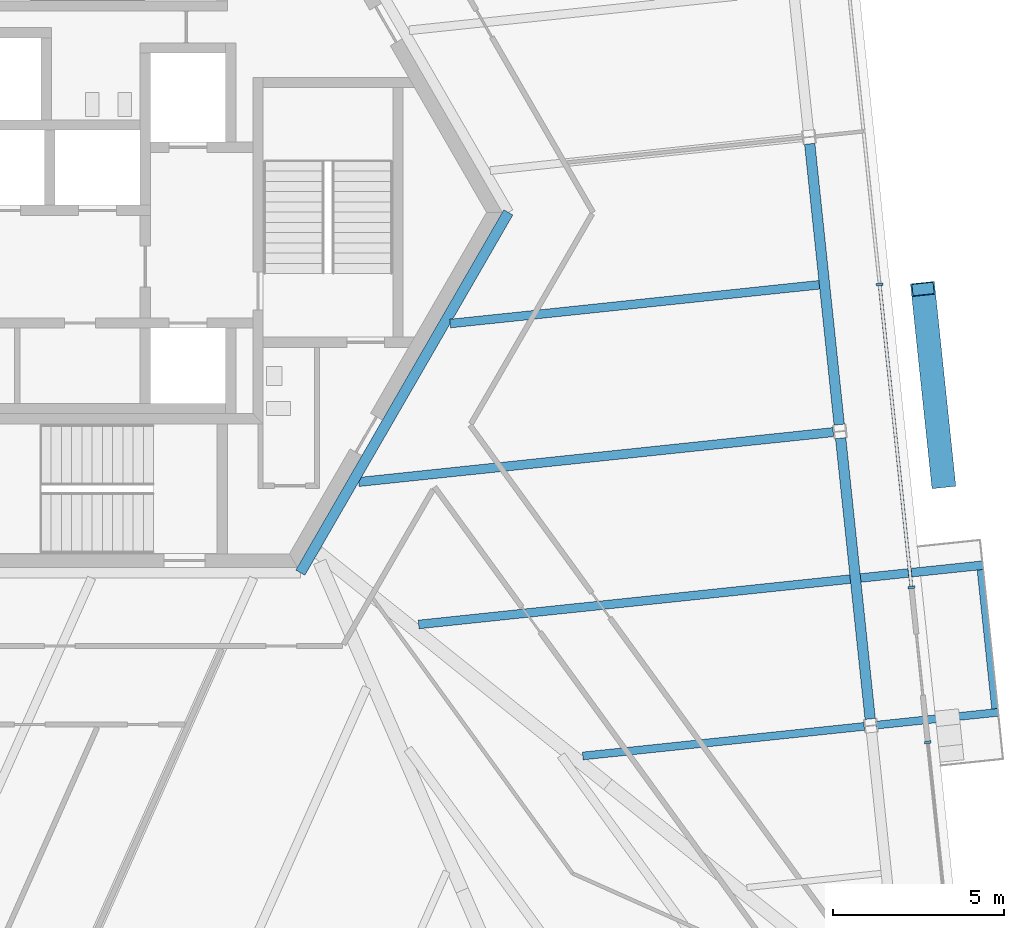
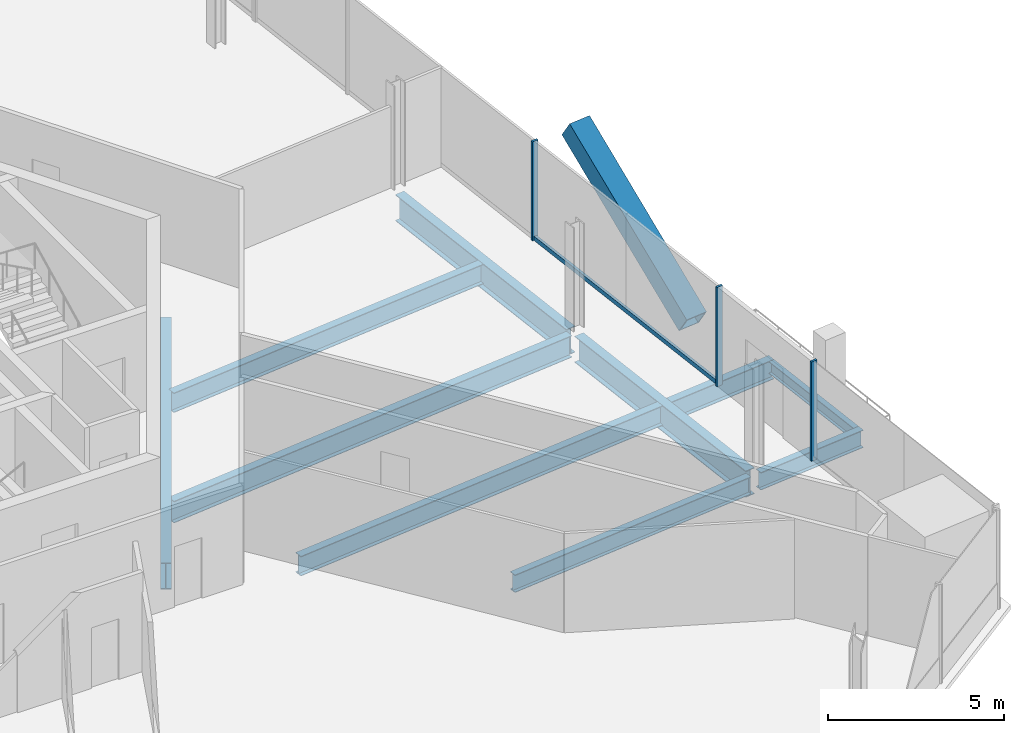
# One storey, part 6 of 19: 10 beams, 5 members, 2 elements without a shape of their own.
"""IFC4 building model written with IfcOpenShell, lengths in metres."""

from ifc_helpers import new_model, si_unit, direction, frame, origin, origin_2d, place, context, subcontext, project, spatial, rectangle, hollow_rectangle, i_section, extrude, source, transform, mapped, material, material_profile, profile_set, type_object, element, aggregate, save


model = new_model("IFC4")

# Units and contexts
model_context = context("Model", 3, precision=1e-05, world=origin(), true_north=direction((0.0, 1.0)))
body_context = subcontext(model_context, "Body", "Model", "MODEL_VIEW")
ifc_project = project(units=[si_unit("LENGTHUNIT", "METRE"), si_unit("AREAUNIT", "SQUARE_METRE"), si_unit("VOLUMEUNIT", "CUBIC_METRE"), si_unit("PLANEANGLEUNIT", "RADIAN"), si_unit("MASSUNIT", "GRAM", prefix="KILO")], contexts=[model_context])

# Site, building, storey
site_placement = place(None, origin())
site = spatial("IfcSite", under=ifc_project, at=site_placement, CompositionType="ELEMENT")
building_placement = place(site_placement, origin())
building = spatial("IfcBuilding", under=site, at=building_placement, Name="Triune Harvest Tower", CompositionType="ELEMENT")
storey_placement = place(building_placement, frame((0.0, 0.0, 69.300048828125)))
storey = spatial("IfcBuildingStorey", under=building, at=storey_placement, Name="L16", CompositionType="ELEMENT", Elevation=69.300048828125)

# Curtain wall, member
ifc_material_1 = material(Name="Aluminium bronze anodised", Category="aluminium")
curtain_wall_type_1 = type_object("IfcCurtainWallType", Name="CW-10 Balcony window wall with insulated spandrel infill", PredefinedType="NOTDEFINED", material=ifc_material_1)
curtain_wall_1_placement = place(storey_placement, origin())
curtain_wall_1 = element("IfcCurtainWall", 1, at=curtain_wall_1_placement, inside=storey, type_object=curtain_wall_type_1, Name="CW-10 B2-F1 L16 run 2")
ifc_material_2 = material(Name="Aluminium bronze anodised", Category="aluminium")
ifc_material_profile_1 = material_profile(ifc_material_2, rectangle(XDim=0.090087890625, YDim=0.14990234375, at=origin_2d()), Name="TR-6 transom 90 x 150")
ifc_profile_set_1 = profile_set([ifc_material_profile_1], Name="Aluminium bronze anodised")
member_type_1 = type_object("IfcMemberType", Name="TR-6 transom 90 x 150", PredefinedType="USERDEFINED", material=ifc_profile_set_1)
member_1_placement = place(storey_placement, frame((23.97216796875, -10.935791015625, 0.074951171875), z_axis=(-0.104523739879, 0.994522391805, 0.0), x_axis=(-0.994522391805, -0.104523739879, 0.0)))
member_1 = element("IfcMember", 2, at=member_1_placement, type_object=member_type_1, Name="CW-10 transom B2-F1 2.1", ObjectType="TRANSOM", PredefinedType="USERDEFINED", context=body_context, shape_type="SweptSolid", body=[
    extrude(rectangle(XDim=0.090087890625, YDim=0.14990234375, at=origin_2d()), origin(), (0.0, 0.0, 1.0), 8.83837890625),
])

# Beams
ifc_material_3 = material(Name="Steel ASTM A992 Gr 50", Category="steel")
ifc_material_profile_2 = material_profile(ifc_material_3, i_section(OverallWidth=0.3046875, OverallDepth=0.914306640625, WebThickness=0.0166015625, FlangeThickness=0.02587890625, at=origin_2d()), Name="W36x160")
ifc_profile_set_2 = profile_set([ifc_material_profile_2], Name="Steel ASTM A992 Gr 50")
beam_type_1 = type_object("IfcBeamType", Name="CG-1 Core ring girder W36x160", PredefinedType="BEAM", material=ifc_profile_set_2)
shared_shape_1 = source(origin(), body_context, "Body", "SweptSolid", [
    extrude(i_section(OverallWidth=0.3046875, OverallDepth=0.914306640625, WebThickness=0.0166015625, FlangeThickness=0.02587890625, at=origin_2d()), origin(), (0.0, 0.0, 1.0), 12.176025390625),
])
beam_1_placement = place(storey_placement, frame((6.087890625, -10.544677734375, -0.6171875), z_axis=(0.5000099932, 0.866019634131, 0.0), x_axis=(-0.866019634131, 0.5000099932, 0.0)))
element("IfcBeam", 3, at=beam_1_placement, inside=storey, type_object=beam_type_1, Name="beam/L16/CG6", PredefinedType="BEAM", context=body_context, shape_type="MappedRepresentation", body=[
    mapped(shared_shape_1, transform((0.0, 0.0, 0.0), scale=1.0)),
])
ifc_material_4 = material(Name="Steel ASTM A992 Gr 50", Category="steel")
ifc_material_profile_3 = material_profile(ifc_material_4, i_section(OverallWidth=0.3046875, OverallDepth=0.914306640625, WebThickness=0.0166015625, FlangeThickness=0.02587890625, at=origin_2d()), Name="W36x160")
ifc_profile_set_3 = profile_set([ifc_material_profile_3], Name="Steel ASTM A992 Gr 50")
beam_type_2 = type_object("IfcBeamType", Name="SB-1 Spandrel beam W36x160", PredefinedType="SPANDREL", material=ifc_profile_set_3)
shared_shape_2 = source(origin(), body_context, "Body", "SweptSolid", [
    extrude(i_section(OverallWidth=0.3046875, OverallDepth=0.914306640625, WebThickness=0.0166015625, FlangeThickness=0.02587890625, at=origin_2d()), origin(), (0.0, 0.0, 1.0), 8.26318359375),
])
beam_2_placement = place(storey_placement, frame((22.76708984375, -14.826416015625, -0.6171875), z_axis=(-0.104530986234, 0.994521630191, 0.0), x_axis=(-0.994521630191, -0.104530986234, 0.0)))
element("IfcBeam", 4, at=beam_2_placement, inside=storey, type_object=beam_type_2, Name="beam/L16/SB2", PredefinedType="SPANDREL", context=body_context, shape_type="MappedRepresentation", body=[
    mapped(shared_shape_2, transform((0.0, 0.0, 0.0), scale=1.0)),
])
shared_shape_3 = source(origin(), body_context, "Body", "SweptSolid", [
    extrude(i_section(OverallWidth=0.3046875, OverallDepth=0.914306640625, WebThickness=0.0166015625, FlangeThickness=0.02587890625, at=origin_2d()), origin(), (0.0, 0.0, 1.0), 8.263427734375),
])
beam_3_placement = place(storey_placement, frame((21.861572265625, -6.211669921875, -0.6171875), z_axis=(-0.104527914852, 0.994521953009, 0.0), x_axis=(-0.994521953009, -0.104527914852, 0.0)))
element("IfcBeam", 5, at=beam_3_placement, inside=storey, type_object=beam_type_2, Name="beam/L16/SB3", PredefinedType="SPANDREL", context=body_context, shape_type="MappedRepresentation", body=[
    mapped(shared_shape_3, transform((0.0, 0.0, 0.0), scale=1.0)),
])
ifc_material_5 = material(Name="Steel ASTM A992 Gr 50", Category="steel")
ifc_material_profile_4 = material_profile(ifc_material_5, i_section(OverallWidth=0.22900390625, OverallDepth=0.612060546875, WebThickness=0.011962890625, FlangeThickness=0.01953125, at=origin_2d()), Name="W24x84")
ifc_profile_set_4 = profile_set([ifc_material_profile_4], Name="Steel ASTM A992 Gr 50")
beam_type_3 = type_object("IfcBeamType", Name="JT-3 Floor joist W24x84", PredefinedType="JOIST", material=ifc_profile_set_4)
shared_shape_4 = source(origin(), body_context, "Body", "SweptSolid", [
    extrude(i_section(OverallWidth=0.22900390625, OverallDepth=0.612060546875, WebThickness=0.011962890625, FlangeThickness=0.01953125, at=origin_2d()), origin(), (0.0, 0.0, 1.0), 8.28173828125),
])
beam_4_placement = place(storey_placement, frame((22.592041015625, -15.04541015625, -0.466064453125), z_axis=(-0.994521271652, -0.104534397358, 0.0), x_axis=(0.104534397358, -0.994521271652, 0.0)))
element("IfcBeam", 6, at=beam_4_placement, inside=storey, type_object=beam_type_3, Name="beam/L16/JT2", PredefinedType="JOIST", context=body_context, shape_type="MappedRepresentation", body=[
    mapped(shared_shape_4, transform((0.0, 0.0, 0.0), scale=1.0)),
])
ifc_material_6 = material(Name="Steel ASTM A992 Gr 50", Category="steel")
ifc_material_profile_5 = material_profile(ifc_material_6, i_section(OverallWidth=0.253662109375, OverallDepth=0.683349609375, WebThickness=0.012451171875, FlangeThickness=0.01904296875, at=origin_2d()), Name="W27x94")
ifc_profile_set_5 = profile_set([ifc_material_profile_5], Name="Steel ASTM A992 Gr 50")
beam_type_4 = type_object("IfcBeamType", Name="JT-4 Floor joist W27x94", PredefinedType="JOIST", material=ifc_profile_set_5)
shared_shape_5 = source(origin(), body_context, "Body", "SweptSolid", [
    extrude(i_section(OverallWidth=0.253662109375, OverallDepth=0.683349609375, WebThickness=0.012451171875, FlangeThickness=0.01904296875, at=origin_2d()), origin(), (0.0, 0.0, 1.0), 12.70166015625),
])
beam_5_placement = place(storey_placement, frame((22.18359375, -10.7333984375, -0.501708984375), z_axis=(-0.994522291469, -0.104524694556, 0.0), x_axis=(0.104524694556, -0.994522291469, 0.0)))
element("IfcBeam", 7, at=beam_5_placement, inside=storey, type_object=beam_type_4, Name="beam/L16/JT3", PredefinedType="JOIST", context=body_context, shape_type="MappedRepresentation", body=[
    mapped(shared_shape_5, transform((0.0, 0.0, 0.0), scale=1.0)),
])
ifc_material_7 = material(Name="Steel ASTM A992 Gr 50", Category="steel")
ifc_material_profile_6 = material_profile(ifc_material_7, i_section(OverallWidth=0.2666015625, OverallDepth=0.7568359375, WebThickness=0.013916015625, FlangeThickness=0.019287109375, at=origin_2d()), Name="W30x108")
ifc_profile_set_6 = profile_set([ifc_material_profile_6], Name="Steel ASTM A992 Gr 50")
beam_type_5 = type_object("IfcBeamType", Name="JT-5 Floor joist W30x108", PredefinedType="JOIST", material=ifc_profile_set_6)
shared_shape_6 = source(origin(), body_context, "Body", "SweptSolid", [
    extrude(i_section(OverallWidth=0.2666015625, OverallDepth=0.7568359375, WebThickness=0.013916015625, FlangeThickness=0.019287109375, at=origin_2d()), origin(), (0.0, 0.0, 1.0), 13.966552734375),
])
beam_6_placement = place(storey_placement, frame((21.6865234375, -6.4306640625, -0.53857421875), z_axis=(-0.994523349671, -0.104514625579, 0.0), x_axis=(0.104514625579, -0.994523349671, 0.0)))
element("IfcBeam", 8, at=beam_6_placement, inside=storey, type_object=beam_type_5, Name="beam/L16/JT4", PredefinedType="JOIST", context=body_context, shape_type="MappedRepresentation", body=[
    mapped(shared_shape_6, transform((0.0, 0.0, 0.0), scale=1.0)),
])
shared_shape_7 = source(origin(), body_context, "Body", "SweptSolid", [
    extrude(i_section(OverallWidth=0.253662109375, OverallDepth=0.683349609375, WebThickness=0.012451171875, FlangeThickness=0.01904296875, at=origin_2d()), origin(), (0.0, 0.0, 1.0), 10.864501953125),
])
beam_7_placement = place(storey_placement, frame((21.278076171875, -2.11865234375, -0.501708984375), z_axis=(-0.994523292564, -0.104515168984, 0.0), x_axis=(0.104515168984, -0.994523292564, 0.0)))
element("IfcBeam", 9, at=beam_7_placement, inside=storey, type_object=beam_type_4, Name="beam/L16/JT5", PredefinedType="JOIST", context=body_context, shape_type="MappedRepresentation", body=[
    mapped(shared_shape_7, transform((0.0, 0.0, 0.0), scale=1.0)),
])

# Member
ifc_material_8 = material(Name="Steel ASTM A572 Gr 50", Category="steel")
ifc_material_profile_7 = material_profile(ifc_material_8, hollow_rectangle(XDim=0.699951171875, YDim=0.699951171875, WallThickness=0.0400390625, at=origin_2d()), Name="Box 700x700x40")
ifc_profile_set_7 = profile_set([ifc_material_profile_7], Name="Steel ASTM A572 Gr 50")
member_type_2 = type_object("IfcMemberType", Name="BR-1 Brace Box 700x700x40", PredefinedType="BRACE", material=ifc_profile_set_7)
shared_shape_8 = source(origin(), body_context, "Body", "SweptSolid", [
    extrude(hollow_rectangle(XDim=0.699951171875, YDim=0.699951171875, WallThickness=0.0400390625, at=origin_2d()), origin(), (0.0, 0.0, 1.0), 6.7021484375),
])
member_2_placement = place(storey_placement, frame((24.90625, -7.864013671875, 0.0), z_axis=(-0.088190365828, 0.838883079159, 0.537119762135), x_axis=(-0.994519405424, -0.10455215079, 0.0)))
element("IfcMember", 10, at=member_2_placement, inside=storey, type_object=member_type_2, Name="brace/B2-F1/d1/4", PredefinedType="BRACE", context=body_context, shape_type="MappedRepresentation", body=[
    mapped(shared_shape_8, transform((0.0, 0.0, 0.0), scale=1.0)),
])

# Curtain wall, member
ifc_material_9 = material(Name="Aluminium bronze anodised", Category="aluminium")
curtain_wall_type_2 = type_object("IfcCurtainWallType", Name="CW-6 Balcony window wall", PredefinedType="NOTDEFINED", material=ifc_material_9)
curtain_wall_2_placement = place(storey_placement, origin())
curtain_wall_2 = element("IfcCurtainWall", 11, at=curtain_wall_2_placement, inside=storey, type_object=curtain_wall_type_2, Name="CW-6 B2-F1 L16 run 1")
ifc_material_10 = material(Name="Aluminium bronze anodised", Category="aluminium")
ifc_material_profile_8 = material_profile(ifc_material_10, rectangle(XDim=0.199951171875, YDim=0.074951171875, at=origin_2d()), Name="MU-6 mullion 75 x 200")
ifc_profile_set_8 = profile_set([ifc_material_profile_8], Name="Aluminium bronze anodised")
member_type_3 = type_object("IfcMemberType", Name="MU-6 mullion 75 x 200", PredefinedType="MULLION", material=ifc_profile_set_8)
shared_shape_9 = source(origin(), body_context, "Body", "SweptSolid", [
    extrude(rectangle(XDim=0.199951171875, YDim=0.074951171875, at=origin_2d()), origin(), (0.0, 0.0, 1.0), 3.43994140625),
])
member_3_placement = place(storey_placement, frame((24.452880859375, -15.5087890625, 0.0), z_axis=(0.0, 0.0, 1.0), x_axis=(-0.994521992769, -0.104527536558, 0.0)))
member_3 = element("IfcMember", 12, at=member_3_placement, type_object=member_type_3, Name="CW-6 mullion B2-F1 1.3", PredefinedType="MULLION", context=body_context, shape_type="MappedRepresentation", body=[
    mapped(shared_shape_9, transform((0.0, 0.0, 0.0), scale=1.0)),
])
aggregate(curtain_wall_2, [member_3])

# Member
member_4_placement = place(storey_placement, frame((23.97607421875, -10.97314453125, 0.0), z_axis=(0.0, 0.0, 1.0), x_axis=(-0.994522005277, -0.104527417554, 0.0)))
member_4 = element("IfcMember", 13, at=member_4_placement, type_object=member_type_3, Name="CW-10 mullion B2-F1 2.1", PredefinedType="MULLION", context=body_context, shape_type="MappedRepresentation", body=[
    mapped(shared_shape_9, transform((0.0, 0.0, 0.0), scale=1.0)),
])

member_5_placement = place(storey_placement, frame((23.04443359375, -2.1083984375, 0.0), z_axis=(0.0, 0.0, 1.0), x_axis=(-0.994522005277, -0.104527417554, 0.0)))
member_5 = element("IfcMember", 14, at=member_5_placement, type_object=member_type_3, Name="CW-10 mullion B2-F1 2.3", PredefinedType="MULLION", context=body_context, shape_type="MappedRepresentation", body=[
    mapped(shared_shape_9, transform((0.0, 0.0, 0.0), scale=1.0)),
])

aggregate(curtain_wall_1, [member_4, member_5, member_1])

# Beams
ifc_material_11 = material(Name="Steel ASTM A992 Gr 50", Category="steel")
ifc_material_profile_9 = material_profile(ifc_material_11, i_section(OverallWidth=0.180908203125, OverallDepth=0.41650390625, WebThickness=0.010986328125, FlangeThickness=0.01806640625, at=origin_2d()), Name="W16x57")
ifc_profile_set_9 = profile_set([ifc_material_profile_9], Name="Steel ASTM A992 Gr 50")
beam_type_6 = type_object("IfcBeamType", Name="BE-1 balcony edge beam W16x57", PredefinedType="BEAM", material=ifc_profile_set_9)
shared_shape_10 = source(origin(), body_context, "Body", "SweptSolid", [
    extrude(i_section(OverallWidth=0.180908203125, OverallDepth=0.41650390625, WebThickness=0.010986328125, FlangeThickness=0.01806640625, at=origin_2d()), origin(), (0.0, 0.0, 1.0), 4.089599609375),
])
beam_8_placement = place(storey_placement, frame((25.98779296875, -10.461181640625, -0.368408203125), z_axis=(0.10453251059, -0.994521469969, 0.0), x_axis=(0.994521469969, 0.10453251059, 0.0)))
element("IfcBeam", 15, at=beam_8_placement, inside=storey, type_object=beam_type_6, Name="Balcony edge beam B2-F1 L16.3", PredefinedType="BEAM", context=body_context, shape_type="MappedRepresentation", body=[
    mapped(shared_shape_10, transform((0.0, 0.0, 0.0), scale=1.0)),
])
ifc_material_12 = material(Name="Steel ASTM A992 Gr 50", Category="steel")
ifc_material_profile_10 = material_profile(ifc_material_12, i_section(OverallWidth=0.22900390625, OverallDepth=0.612060546875, WebThickness=0.011962890625, FlangeThickness=0.01953125, at=origin_2d()), Name="W24x84")
ifc_profile_set_10 = profile_set([ifc_material_profile_10], Name="Steel ASTM A992 Gr 50")
beam_type_7 = type_object("IfcBeamType", Name="BJ-3 Balcony cantilever joist W24x84", PredefinedType="JOIST", material=ifc_profile_set_10)
shared_shape_11 = source(origin(), body_context, "Body", "SweptSolid", [
    extrude(i_section(OverallWidth=0.22900390625, OverallDepth=0.612060546875, WebThickness=0.011962890625, FlangeThickness=0.01953125, at=origin_2d()), origin(), (0.0, 0.0, 1.0), 3.597412109375),
])
beam_9_placement = place(storey_placement, frame((22.939453125, -15.0087890625, -0.466064453125), z_axis=(0.99452328842, 0.104515208419, 0.0), x_axis=(-0.104515208419, 0.99452328842, 0.0)))
element("IfcBeam", 16, at=beam_9_placement, inside=storey, type_object=beam_type_7, Name="Balcony cantilever joist B2-F1 L16.3a", PredefinedType="JOIST", context=body_context, shape_type="MappedRepresentation", body=[
    mapped(shared_shape_11, transform((0.0, 0.0, 0.0), scale=1.0)),
])
ifc_material_13 = material(Name="Steel ASTM A992 Gr 50", Category="steel")
ifc_material_profile_11 = material_profile(ifc_material_13, i_section(OverallWidth=0.253662109375, OverallDepth=0.683349609375, WebThickness=0.012451171875, FlangeThickness=0.01904296875, at=origin_2d()), Name="W27x94")
ifc_profile_set_11 = profile_set([ifc_material_profile_11], Name="Steel ASTM A992 Gr 50")
beam_type_8 = type_object("IfcBeamType", Name="BJ-4 Balcony cantilever joist W27x94", PredefinedType="JOIST", material=ifc_profile_set_11)
shared_shape_12 = source(origin(), body_context, "Body", "SweptSolid", [
    extrude(i_section(OverallWidth=0.253662109375, OverallDepth=0.683349609375, WebThickness=0.012451171875, FlangeThickness=0.01904296875, at=origin_2d()), origin(), (0.0, 0.0, 1.0), 3.597412109375),
])
beam_10_placement = place(storey_placement, frame((22.48681640625, -10.701416015625, -0.501708984375), z_axis=(0.99452328842, 0.104515208419, 0.0), x_axis=(-0.104515208419, 0.99452328842, 0.0)))
element("IfcBeam", 17, at=beam_10_placement, inside=storey, type_object=beam_type_8, Name="Balcony cantilever joist B2-F1 L16.3b", PredefinedType="JOIST", context=body_context, shape_type="MappedRepresentation", body=[
    mapped(shared_shape_12, transform((0.0, 0.0, 0.0), scale=1.0)),
])

save(model, "model.ifc")
